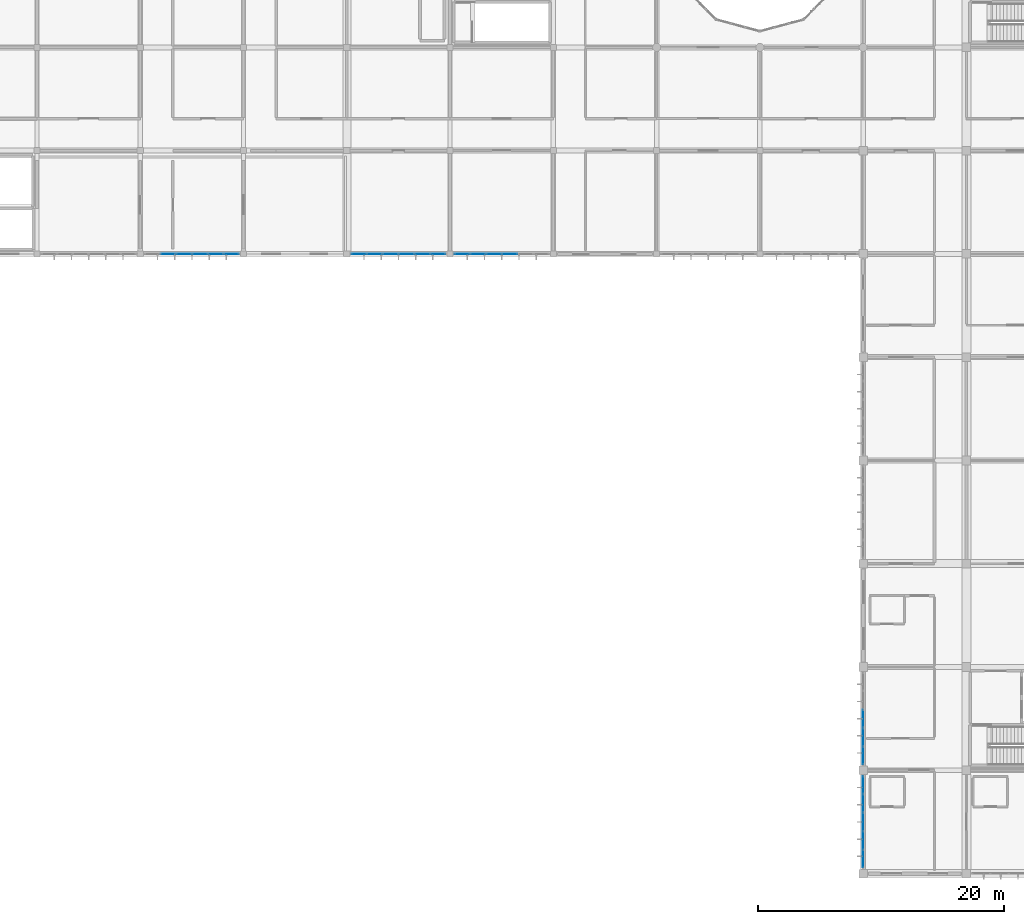
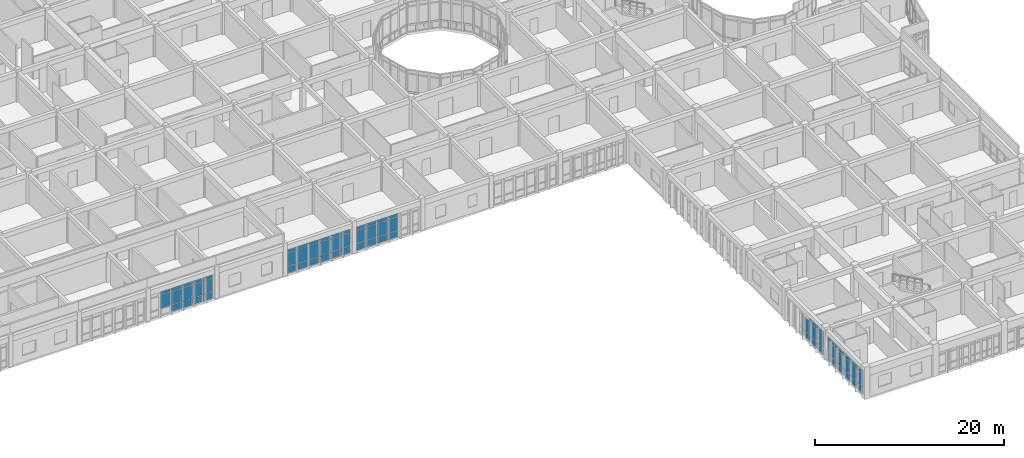
# One storey, part 56 of 119: 67 plates, 5 elements without a shape of their own.
"""IFC4 building model written with IfcOpenShell, lengths in metres."""

from ifc_helpers import new_model, si_unit, direction, frame, origin, origin_2d, place, context, subcontext, project, spatial, rectangle, extrude, material, layer, layer_set, type_object, element, aggregate, save


model = new_model("IFC4")

# Units and contexts
model_context = context("Model", 3, precision=1e-05, world=origin(), true_north=direction((0.0, 1.0)))
body_context = subcontext(model_context, "Body", "Model", "MODEL_VIEW")
ifc_project = project(units=[si_unit("LENGTHUNIT", "METRE"), si_unit("AREAUNIT", "SQUARE_METRE"), si_unit("VOLUMEUNIT", "CUBIC_METRE"), si_unit("PLANEANGLEUNIT", "RADIAN"), si_unit("MASSUNIT", "GRAM", prefix="KILO")], contexts=[model_context])

# Site, building, storey
site_placement = place(None, origin())
site = spatial("IfcSite", under=ifc_project, at=site_placement, CompositionType="ELEMENT")
building_placement = place(site_placement, origin())
building = spatial("IfcBuilding", under=site, at=building_placement, Name="Bramfleet General Hospital", CompositionType="ELEMENT")
storey_placement = place(building_placement, frame((0.0, 0.0, 14.39990234375)))
storey = spatial("IfcBuildingStorey", under=building, at=storey_placement, Name="L03", CompositionType="ELEMENT", Elevation=14.39990234375)

# Curtain wall, plates
ifc_material_1 = material(Name="Anodised aluminium and low-E triple glazing", Category="aluminium")
ifc_layer_1 = layer(ifc_material_1, 0.179931640625, Name="CWT-CW-01")
ifc_layer_set_1 = layer_set([ifc_layer_1], Name="Anodised aluminium and low-E triple glazing")
curtain_wall_type_1 = type_object("IfcCurtainWallType", Name="CWT-CW-01", PredefinedType="USERDEFINED", material=ifc_layer_set_1)
curtain_wall_1_placement = place(storey_placement, origin())
curtain_wall_1 = element("IfcCurtainWall", 1, at=curtain_wall_1_placement, inside=storey, type_object=curtain_wall_type_1, Name="L03 Curtain Wall 181", ObjectType="Unitised curtain wall", PredefinedType="USERDEFINED")
ifc_material_2 = material(Name="Low-E laminated safety glass", Category="glass")
ifc_layer_2 = layer(ifc_material_2, 0.028076171875, Name="CWP-GLZ-1")
ifc_layer_set_2 = layer_set([ifc_layer_2], Name="Low-E laminated safety glass")
plate_type_1 = type_object("IfcPlateType", Name="CWP-GLZ-1", PredefinedType="CURTAIN_PANEL", material=ifc_layer_set_2)
plate_1_placement = place(storey_placement, frame((63.645751953125, 50.39990234375, 0.06494140625), z_axis=(0.0, 0.0, 1.0), x_axis=(-1.0, 0.0, 0.0)))
plate_1 = element("IfcPlate", 2, at=plate_1_placement, type_object=plate_type_1, Name="CW-01 panel 3.1", PredefinedType="CURTAIN_PANEL", context=body_context, shape_type="SweptSolid", body=[
    extrude(rectangle(XDim=1.2216796875, YDim=0.028076171875, at=origin_2d()), origin(), (0.0, 0.0, 1.0), 0.802490234375),
])
plate_2_placement = place(storey_placement, frame((63.645751953125, 50.39990234375, 0.9326171875), z_axis=(0.0, 0.0, 1.0), x_axis=(-1.0, 0.0, 0.0)))
plate_2 = element("IfcPlate", 3, at=plate_2_placement, type_object=plate_type_1, Name="CW-01 panel 3.2", PredefinedType="CURTAIN_PANEL", context=body_context, shape_type="SweptSolid", body=[
    extrude(rectangle(XDim=1.2216796875, YDim=0.028076171875, at=origin_2d()), origin(), (0.0, 0.0, 1.0), 1.675048828125),
])
plate_3_placement = place(storey_placement, frame((63.645751953125, 50.39990234375, 2.6728515625), z_axis=(0.0, 0.0, 1.0), x_axis=(-1.0, 0.0, 0.0)))
plate_3 = element("IfcPlate", 4, at=plate_3_placement, type_object=plate_type_1, Name="CW-01 panel 3.3", PredefinedType="CURTAIN_PANEL", context=body_context, shape_type="SweptSolid", body=[
    extrude(rectangle(XDim=1.2216796875, YDim=0.028076171875, at=origin_2d()), origin(), (0.0, 0.0, 1.0), 0.452392578125),
])
plate_4_placement = place(storey_placement, frame((62.354248046875, 50.39990234375, 0.06494140625), z_axis=(0.0, 0.0, 1.0), x_axis=(-1.0, 0.0, 0.0)))
plate_4 = element("IfcPlate", 5, at=plate_4_placement, type_object=plate_type_1, Name="CW-01 panel 4.1", PredefinedType="CURTAIN_PANEL", context=body_context, shape_type="SweptSolid", body=[
    extrude(rectangle(XDim=1.2216796875, YDim=0.028076171875, at=origin_2d()), origin(), (0.0, 0.0, 1.0), 0.802490234375),
])
plate_5_placement = place(storey_placement, frame((62.354248046875, 50.39990234375, 0.9326171875), z_axis=(0.0, 0.0, 1.0), x_axis=(-1.0, 0.0, 0.0)))
plate_5 = element("IfcPlate", 6, at=plate_5_placement, type_object=plate_type_1, Name="CW-01 panel 4.2", PredefinedType="CURTAIN_PANEL", context=body_context, shape_type="SweptSolid", body=[
    extrude(rectangle(XDim=1.2216796875, YDim=0.028076171875, at=origin_2d()), origin(), (0.0, 0.0, 1.0), 1.675048828125),
])
plate_6_placement = place(storey_placement, frame((62.354248046875, 50.39990234375, 2.6728515625), z_axis=(0.0, 0.0, 1.0), x_axis=(-1.0, 0.0, 0.0)))
plate_6 = element("IfcPlate", 7, at=plate_6_placement, type_object=plate_type_1, Name="CW-01 panel 4.3", PredefinedType="CURTAIN_PANEL", context=body_context, shape_type="SweptSolid", body=[
    extrude(rectangle(XDim=1.2216796875, YDim=0.028076171875, at=origin_2d()), origin(), (0.0, 0.0, 1.0), 0.452392578125),
])
plate_7_placement = place(storey_placement, frame((61.0625, 50.39990234375, 0.06494140625), z_axis=(0.0, 0.0, 1.0), x_axis=(-1.0, 0.0, 0.0)))
plate_7 = element("IfcPlate", 8, at=plate_7_placement, type_object=plate_type_1, Name="CW-01 panel 5.1", PredefinedType="CURTAIN_PANEL", context=body_context, shape_type="SweptSolid", body=[
    extrude(rectangle(XDim=1.2216796875, YDim=0.028076171875, at=origin_2d()), origin(), (0.0, 0.0, 1.0), 0.802490234375),
])
plate_8_placement = place(storey_placement, frame((61.0625, 50.39990234375, 0.9326171875), z_axis=(0.0, 0.0, 1.0), x_axis=(-1.0, 0.0, 0.0)))
plate_8 = element("IfcPlate", 9, at=plate_8_placement, type_object=plate_type_1, Name="CW-01 panel 5.2", PredefinedType="CURTAIN_PANEL", context=body_context, shape_type="SweptSolid", body=[
    extrude(rectangle(XDim=1.2216796875, YDim=0.028076171875, at=origin_2d()), origin(), (0.0, 0.0, 1.0), 1.675048828125),
])
plate_9_placement = place(storey_placement, frame((61.0625, 50.39990234375, 2.6728515625), z_axis=(0.0, 0.0, 1.0), x_axis=(-1.0, 0.0, 0.0)))
plate_9 = element("IfcPlate", 10, at=plate_9_placement, type_object=plate_type_1, Name="CW-01 panel 5.3", PredefinedType="CURTAIN_PANEL", context=body_context, shape_type="SweptSolid", body=[
    extrude(rectangle(XDim=1.2216796875, YDim=0.028076171875, at=origin_2d()), origin(), (0.0, 0.0, 1.0), 0.452392578125),
])
plate_10_placement = place(storey_placement, frame((59.788330078125, 50.39990234375, 0.06494140625), z_axis=(0.0, 0.0, 1.0), x_axis=(-1.0, 0.0, 0.0)))
plate_10 = element("IfcPlate", 11, at=plate_10_placement, type_object=plate_type_1, Name="CW-01 panel 6.1", PredefinedType="CURTAIN_PANEL", context=body_context, shape_type="SweptSolid", body=[
    extrude(rectangle(XDim=1.186767578125, YDim=0.028076171875, at=origin_2d()), origin(), (0.0, 0.0, 1.0), 0.802490234375),
])
plate_11_placement = place(storey_placement, frame((59.788330078125, 50.39990234375, 0.9326171875), z_axis=(0.0, 0.0, 1.0), x_axis=(-1.0, 0.0, 0.0)))
plate_11 = element("IfcPlate", 12, at=plate_11_placement, type_object=plate_type_1, Name="CW-01 panel 6.2", PredefinedType="CURTAIN_PANEL", context=body_context, shape_type="SweptSolid", body=[
    extrude(rectangle(XDim=1.186767578125, YDim=0.028076171875, at=origin_2d()), origin(), (0.0, 0.0, 1.0), 1.675048828125),
])
plate_12_placement = place(storey_placement, frame((59.788330078125, 50.39990234375, 2.6728515625), z_axis=(0.0, 0.0, 1.0), x_axis=(-1.0, 0.0, 0.0)))
plate_12 = element("IfcPlate", 13, at=plate_12_placement, type_object=plate_type_1, Name="CW-01 panel 6.3", PredefinedType="CURTAIN_PANEL", context=body_context, shape_type="SweptSolid", body=[
    extrude(rectangle(XDim=1.186767578125, YDim=0.028076171875, at=origin_2d()), origin(), (0.0, 0.0, 1.0), 0.452392578125),
])
aggregate(curtain_wall_1, [plate_1, plate_2, plate_3, plate_4, plate_5, plate_6, plate_7, plate_8, plate_9, plate_10, plate_11, plate_12])

ifc_layer_3 = layer(ifc_material_1, 0.179931640625, Name="CWT-CW-02")
ifc_layer_set_3 = layer_set([ifc_layer_3], Name="Anodised aluminium and low-E triple glazing")
curtain_wall_type_2 = type_object("IfcCurtainWallType", Name="CWT-CW-02", PredefinedType="USERDEFINED", material=ifc_layer_set_3)
curtain_wall_2_placement = place(storey_placement, origin())
curtain_wall_2 = element("IfcCurtainWall", 14, at=curtain_wall_2_placement, inside=storey, type_object=curtain_wall_type_2, Name="L03 Curtain Wall 182", ObjectType="Unitised curtain wall", PredefinedType="USERDEFINED")
ifc_layer_4 = layer(ifc_material_2, 0.031982421875, Name="CWP-GLZ-2")
ifc_layer_set_4 = layer_set([ifc_layer_4], Name="Low-E laminated safety glass")
plate_type_2 = type_object("IfcPlateType", Name="CWP-GLZ-2", PredefinedType="CURTAIN_PANEL", material=ifc_layer_set_4)
plate_13_placement = place(storey_placement, frame((57.811767578125, 50.39990234375, 0.06494140625), z_axis=(0.0, 0.0, 1.0), x_axis=(-1.0, 0.0, 0.0)))
plate_13 = element("IfcPlate", 15, at=plate_13_placement, type_object=plate_type_2, Name="CW-02 panel 1.1", PredefinedType="CURTAIN_PANEL", context=body_context, shape_type="SweptSolid", body=[
    extrude(rectangle(XDim=1.186767578125, YDim=0.031982421875, at=origin_2d()), origin(), (0.0, 0.0, 1.0), 0.802490234375),
])
plate_14_placement = place(storey_placement, frame((57.811767578125, 50.39990234375, 0.9326171875), z_axis=(0.0, 0.0, 1.0), x_axis=(-1.0, 0.0, 0.0)))
plate_14 = element("IfcPlate", 16, at=plate_14_placement, type_object=plate_type_2, Name="CW-02 panel 1.2", PredefinedType="CURTAIN_PANEL", context=body_context, shape_type="SweptSolid", body=[
    extrude(rectangle(XDim=1.186767578125, YDim=0.031982421875, at=origin_2d()), origin(), (0.0, 0.0, 1.0), 1.675048828125),
])
plate_15_placement = place(storey_placement, frame((57.811767578125, 50.39990234375, 2.6728515625), z_axis=(0.0, 0.0, 1.0), x_axis=(-1.0, 0.0, 0.0)))
plate_15 = element("IfcPlate", 17, at=plate_15_placement, type_object=plate_type_2, Name="CW-02 panel 1.3", PredefinedType="CURTAIN_PANEL", context=body_context, shape_type="SweptSolid", body=[
    extrude(rectangle(XDim=1.186767578125, YDim=0.031982421875, at=origin_2d()), origin(), (0.0, 0.0, 1.0), 0.452392578125),
])
plate_16_placement = place(storey_placement, frame((56.53759765625, 50.39990234375, 0.06494140625), z_axis=(0.0, 0.0, 1.0), x_axis=(-1.0, 0.0, 0.0)))
plate_16 = element("IfcPlate", 18, at=plate_16_placement, type_object=plate_type_2, Name="CW-02 panel 2.1", PredefinedType="CURTAIN_PANEL", context=body_context, shape_type="SweptSolid", body=[
    extrude(rectangle(XDim=1.2216796875, YDim=0.031982421875, at=origin_2d()), origin(), (0.0, 0.0, 1.0), 0.802490234375),
])
plate_17_placement = place(storey_placement, frame((56.53759765625, 50.39990234375, 0.9326171875), z_axis=(0.0, 0.0, 1.0), x_axis=(-1.0, 0.0, 0.0)))
plate_17 = element("IfcPlate", 19, at=plate_17_placement, type_object=plate_type_2, Name="CW-02 panel 2.2", PredefinedType="CURTAIN_PANEL", context=body_context, shape_type="SweptSolid", body=[
    extrude(rectangle(XDim=1.2216796875, YDim=0.031982421875, at=origin_2d()), origin(), (0.0, 0.0, 1.0), 1.675048828125),
])
plate_18_placement = place(storey_placement, frame((56.53759765625, 50.39990234375, 2.6728515625), z_axis=(0.0, 0.0, 1.0), x_axis=(-1.0, 0.0, 0.0)))
plate_18 = element("IfcPlate", 20, at=plate_18_placement, type_object=plate_type_2, Name="CW-02 panel 2.3", PredefinedType="CURTAIN_PANEL", context=body_context, shape_type="SweptSolid", body=[
    extrude(rectangle(XDim=1.2216796875, YDim=0.031982421875, at=origin_2d()), origin(), (0.0, 0.0, 1.0), 0.452392578125),
])
plate_19_placement = place(storey_placement, frame((55.245849609375, 50.39990234375, 0.06494140625), z_axis=(0.0, 0.0, 1.0), x_axis=(-1.0, 0.0, 0.0)))
plate_19 = element("IfcPlate", 21, at=plate_19_placement, type_object=plate_type_2, Name="CW-02 panel 3.1", PredefinedType="CURTAIN_PANEL", context=body_context, shape_type="SweptSolid", body=[
    extrude(rectangle(XDim=1.2216796875, YDim=0.031982421875, at=origin_2d()), origin(), (0.0, 0.0, 1.0), 0.802490234375),
])
plate_20_placement = place(storey_placement, frame((55.245849609375, 50.39990234375, 0.9326171875), z_axis=(0.0, 0.0, 1.0), x_axis=(-1.0, 0.0, 0.0)))
plate_20 = element("IfcPlate", 22, at=plate_20_placement, type_object=plate_type_2, Name="CW-02 panel 3.2", PredefinedType="CURTAIN_PANEL", context=body_context, shape_type="SweptSolid", body=[
    extrude(rectangle(XDim=1.2216796875, YDim=0.031982421875, at=origin_2d()), origin(), (0.0, 0.0, 1.0), 1.675048828125),
])
plate_21_placement = place(storey_placement, frame((55.245849609375, 50.39990234375, 2.6728515625), z_axis=(0.0, 0.0, 1.0), x_axis=(-1.0, 0.0, 0.0)))
plate_21 = element("IfcPlate", 23, at=plate_21_placement, type_object=plate_type_2, Name="CW-02 panel 3.3", PredefinedType="CURTAIN_PANEL", context=body_context, shape_type="SweptSolid", body=[
    extrude(rectangle(XDim=1.2216796875, YDim=0.031982421875, at=origin_2d()), origin(), (0.0, 0.0, 1.0), 0.452392578125),
])
plate_22_placement = place(storey_placement, frame((53.9541015625, 50.39990234375, 0.06494140625), z_axis=(0.0, 0.0, 1.0), x_axis=(-1.0, 0.0, 0.0)))
plate_22 = element("IfcPlate", 24, at=plate_22_placement, type_object=plate_type_2, Name="CW-02 panel 4.1", PredefinedType="CURTAIN_PANEL", context=body_context, shape_type="SweptSolid", body=[
    extrude(rectangle(XDim=1.2216796875, YDim=0.031982421875, at=origin_2d()), origin(), (0.0, 0.0, 1.0), 0.802490234375),
])
plate_23_placement = place(storey_placement, frame((53.9541015625, 50.39990234375, 0.9326171875), z_axis=(0.0, 0.0, 1.0), x_axis=(-1.0, 0.0, 0.0)))
plate_23 = element("IfcPlate", 25, at=plate_23_placement, type_object=plate_type_2, Name="CW-02 panel 4.2", PredefinedType="CURTAIN_PANEL", context=body_context, shape_type="SweptSolid", body=[
    extrude(rectangle(XDim=1.2216796875, YDim=0.031982421875, at=origin_2d()), origin(), (0.0, 0.0, 1.0), 1.675048828125),
])
plate_24_placement = place(storey_placement, frame((53.9541015625, 50.39990234375, 2.6728515625), z_axis=(0.0, 0.0, 1.0), x_axis=(-1.0, 0.0, 0.0)))
plate_24 = element("IfcPlate", 26, at=plate_24_placement, type_object=plate_type_2, Name="CW-02 panel 4.3", PredefinedType="CURTAIN_PANEL", context=body_context, shape_type="SweptSolid", body=[
    extrude(rectangle(XDim=1.2216796875, YDim=0.031982421875, at=origin_2d()), origin(), (0.0, 0.0, 1.0), 0.452392578125),
])
plate_25_placement = place(storey_placement, frame((52.66259765625, 50.39990234375, 0.06494140625), z_axis=(0.0, 0.0, 1.0), x_axis=(-1.0, 0.0, 0.0)))
plate_25 = element("IfcPlate", 27, at=plate_25_placement, type_object=plate_type_2, Name="CW-02 panel 5.1", PredefinedType="CURTAIN_PANEL", context=body_context, shape_type="SweptSolid", body=[
    extrude(rectangle(XDim=1.2216796875, YDim=0.031982421875, at=origin_2d()), origin(), (0.0, 0.0, 1.0), 0.802490234375),
])
plate_26_placement = place(storey_placement, frame((52.66259765625, 50.39990234375, 0.9326171875), z_axis=(0.0, 0.0, 1.0), x_axis=(-1.0, 0.0, 0.0)))
plate_26 = element("IfcPlate", 28, at=plate_26_placement, type_object=plate_type_2, Name="CW-02 panel 5.2", PredefinedType="CURTAIN_PANEL", context=body_context, shape_type="SweptSolid", body=[
    extrude(rectangle(XDim=1.2216796875, YDim=0.031982421875, at=origin_2d()), origin(), (0.0, 0.0, 1.0), 1.675048828125),
])
plate_27_placement = place(storey_placement, frame((52.66259765625, 50.39990234375, 2.6728515625), z_axis=(0.0, 0.0, 1.0), x_axis=(-1.0, 0.0, 0.0)))
plate_27 = element("IfcPlate", 29, at=plate_27_placement, type_object=plate_type_2, Name="CW-02 panel 5.3", PredefinedType="CURTAIN_PANEL", context=body_context, shape_type="SweptSolid", body=[
    extrude(rectangle(XDim=1.2216796875, YDim=0.031982421875, at=origin_2d()), origin(), (0.0, 0.0, 1.0), 0.452392578125),
])
plate_28_placement = place(storey_placement, frame((51.388427734375, 50.39990234375, 0.06494140625), z_axis=(0.0, 0.0, 1.0), x_axis=(-1.0, 0.0, 0.0)))
plate_28 = element("IfcPlate", 30, at=plate_28_placement, type_object=plate_type_2, Name="CW-02 panel 6.1", PredefinedType="CURTAIN_PANEL", context=body_context, shape_type="SweptSolid", body=[
    extrude(rectangle(XDim=1.186767578125, YDim=0.031982421875, at=origin_2d()), origin(), (0.0, 0.0, 1.0), 0.802490234375),
])
plate_29_placement = place(storey_placement, frame((51.388427734375, 50.39990234375, 0.9326171875), z_axis=(0.0, 0.0, 1.0), x_axis=(-1.0, 0.0, 0.0)))
plate_29 = element("IfcPlate", 31, at=plate_29_placement, type_object=plate_type_2, Name="CW-02 panel 6.2", PredefinedType="CURTAIN_PANEL", context=body_context, shape_type="SweptSolid", body=[
    extrude(rectangle(XDim=1.186767578125, YDim=0.031982421875, at=origin_2d()), origin(), (0.0, 0.0, 1.0), 1.675048828125),
])
plate_30_placement = place(storey_placement, frame((51.388427734375, 50.39990234375, 2.6728515625), z_axis=(0.0, 0.0, 1.0), x_axis=(-1.0, 0.0, 0.0)))
plate_30 = element("IfcPlate", 32, at=plate_30_placement, type_object=plate_type_2, Name="CW-02 panel 6.3", PredefinedType="CURTAIN_PANEL", context=body_context, shape_type="SweptSolid", body=[
    extrude(rectangle(XDim=1.186767578125, YDim=0.031982421875, at=origin_2d()), origin(), (0.0, 0.0, 1.0), 0.452392578125),
])
aggregate(curtain_wall_2, [plate_13, plate_14, plate_15, plate_16, plate_17, plate_18, plate_19, plate_20, plate_21, plate_22, plate_23, plate_24, plate_25, plate_26, plate_27, plate_28, plate_29, plate_30])

ifc_layer_5 = layer(ifc_material_1, 0.179931640625, Name="CWT-CW-13")
ifc_layer_set_5 = layer_set([ifc_layer_5], Name="Anodised aluminium and low-E triple glazing")
curtain_wall_type_3 = type_object("IfcCurtainWallType", Name="CWT-CW-13", PredefinedType="USERDEFINED", material=ifc_layer_set_5)
curtain_wall_3_placement = place(storey_placement, origin())
curtain_wall_3 = element("IfcCurtainWall", 33, at=curtain_wall_3_placement, inside=storey, type_object=curtain_wall_type_3, Name="L03 Curtain Wall 175", ObjectType="Stick curtain wall", PredefinedType="USERDEFINED")
ifc_layer_6 = layer(ifc_material_2, 0.035888671875, Name="CWP-GLZ-3")
ifc_layer_set_6 = layer_set([ifc_layer_6], Name="Low-E laminated safety glass")
plate_type_3 = type_object("IfcPlateType", Name="CWP-GLZ-3", PredefinedType="CURTAIN_PANEL", material=ifc_layer_set_6)
plate_31_placement = place(storey_placement, frame((92.39990234375, 1.197509765625, 0.06494140625), z_axis=(0.0, 0.0, 1.0), x_axis=(0.0, 1.0, 0.0)))
plate_31 = element("IfcPlate", 34, at=plate_31_placement, type_object=plate_type_3, Name="CW-13 panel 1.1", PredefinedType="CURTAIN_PANEL", context=body_context, shape_type="SweptSolid", body=[
    extrude(rectangle(XDim=1.405029296875, YDim=0.035888671875, at=origin_2d()), origin(), (0.0, 0.0, 1.0), 0.802490234375),
])
plate_32_placement = place(storey_placement, frame((92.39990234375, 1.197509765625, 0.9326171875), z_axis=(0.0, 0.0, 1.0), x_axis=(0.0, 1.0, 0.0)))
plate_32 = element("IfcPlate", 35, at=plate_32_placement, type_object=plate_type_3, Name="CW-13 panel 1.2", PredefinedType="CURTAIN_PANEL", context=body_context, shape_type="SweptSolid", body=[
    extrude(rectangle(XDim=1.405029296875, YDim=0.035888671875, at=origin_2d()), origin(), (0.0, 0.0, 1.0), 1.675048828125),
])
plate_33_placement = place(storey_placement, frame((92.39990234375, 1.197509765625, 2.6728515625), z_axis=(0.0, 0.0, 1.0), x_axis=(0.0, 1.0, 0.0)))
plate_33 = element("IfcPlate", 36, at=plate_33_placement, type_object=plate_type_3, Name="CW-13 panel 1.3", PredefinedType="CURTAIN_PANEL", context=body_context, shape_type="SweptSolid", body=[
    extrude(rectangle(XDim=1.405029296875, YDim=0.035888671875, at=origin_2d()), origin(), (0.0, 0.0, 1.0), 0.452392578125),
])
plate_34_placement = place(storey_placement, frame((92.39990234375, 2.68994140625, 0.06494140625), z_axis=(0.0, 0.0, 1.0), x_axis=(0.0, 1.0, 0.0)))
plate_34 = element("IfcPlate", 37, at=plate_34_placement, type_object=plate_type_3, Name="CW-13 panel 2.1", PredefinedType="CURTAIN_PANEL", context=body_context, shape_type="SweptSolid", body=[
    extrude(rectangle(XDim=1.43994140625, YDim=0.035888671875, at=origin_2d()), origin(), (0.0, 0.0, 1.0), 0.802490234375),
])
plate_35_placement = place(storey_placement, frame((92.39990234375, 2.68994140625, 0.9326171875), z_axis=(0.0, 0.0, 1.0), x_axis=(0.0, 1.0, 0.0)))
plate_35 = element("IfcPlate", 38, at=plate_35_placement, type_object=plate_type_3, Name="CW-13 panel 2.2", PredefinedType="CURTAIN_PANEL", context=body_context, shape_type="SweptSolid", body=[
    extrude(rectangle(XDim=1.43994140625, YDim=0.035888671875, at=origin_2d()), origin(), (0.0, 0.0, 1.0), 1.675048828125),
])
plate_36_placement = place(storey_placement, frame((92.39990234375, 2.68994140625, 2.6728515625), z_axis=(0.0, 0.0, 1.0), x_axis=(0.0, 1.0, 0.0)))
plate_36 = element("IfcPlate", 39, at=plate_36_placement, type_object=plate_type_3, Name="CW-13 panel 2.3", PredefinedType="CURTAIN_PANEL", context=body_context, shape_type="SweptSolid", body=[
    extrude(rectangle(XDim=1.43994140625, YDim=0.035888671875, at=origin_2d()), origin(), (0.0, 0.0, 1.0), 0.452392578125),
])
plate_37_placement = place(storey_placement, frame((92.39990234375, 4.199951171875, 0.06494140625), z_axis=(0.0, 0.0, 1.0), x_axis=(0.0, 1.0, 0.0)))
plate_37 = element("IfcPlate", 40, at=plate_37_placement, type_object=plate_type_3, Name="CW-13 panel 3.1", PredefinedType="CURTAIN_PANEL", context=body_context, shape_type="SweptSolid", body=[
    extrude(rectangle(XDim=1.43994140625, YDim=0.035888671875, at=origin_2d()), origin(), (0.0, 0.0, 1.0), 0.802490234375),
])
plate_38_placement = place(storey_placement, frame((92.39990234375, 4.199951171875, 0.9326171875), z_axis=(0.0, 0.0, 1.0), x_axis=(0.0, 1.0, 0.0)))
plate_38 = element("IfcPlate", 41, at=plate_38_placement, type_object=plate_type_3, Name="CW-13 panel 3.2", PredefinedType="CURTAIN_PANEL", context=body_context, shape_type="SweptSolid", body=[
    extrude(rectangle(XDim=1.43994140625, YDim=0.035888671875, at=origin_2d()), origin(), (0.0, 0.0, 1.0), 1.675048828125),
])
plate_39_placement = place(storey_placement, frame((92.39990234375, 4.199951171875, 2.6728515625), z_axis=(0.0, 0.0, 1.0), x_axis=(0.0, 1.0, 0.0)))
plate_39 = element("IfcPlate", 42, at=plate_39_placement, type_object=plate_type_3, Name="CW-13 panel 3.3", PredefinedType="CURTAIN_PANEL", context=body_context, shape_type="SweptSolid", body=[
    extrude(rectangle(XDim=1.43994140625, YDim=0.035888671875, at=origin_2d()), origin(), (0.0, 0.0, 1.0), 0.452392578125),
])
plate_40_placement = place(storey_placement, frame((92.39990234375, 5.7099609375, 0.06494140625), z_axis=(0.0, 0.0, 1.0), x_axis=(0.0, 1.0, 0.0)))
plate_40 = element("IfcPlate", 43, at=plate_40_placement, type_object=plate_type_3, Name="CW-13 panel 4.1", PredefinedType="CURTAIN_PANEL", context=body_context, shape_type="SweptSolid", body=[
    extrude(rectangle(XDim=1.43994140625, YDim=0.035888671875, at=origin_2d()), origin(), (0.0, 0.0, 1.0), 0.802490234375),
])
plate_41_placement = place(storey_placement, frame((92.39990234375, 5.7099609375, 0.9326171875), z_axis=(0.0, 0.0, 1.0), x_axis=(0.0, 1.0, 0.0)))
plate_41 = element("IfcPlate", 44, at=plate_41_placement, type_object=plate_type_3, Name="CW-13 panel 4.2", PredefinedType="CURTAIN_PANEL", context=body_context, shape_type="SweptSolid", body=[
    extrude(rectangle(XDim=1.43994140625, YDim=0.035888671875, at=origin_2d()), origin(), (0.0, 0.0, 1.0), 1.675048828125),
])
plate_42_placement = place(storey_placement, frame((92.39990234375, 5.7099609375, 2.6728515625), z_axis=(0.0, 0.0, 1.0), x_axis=(0.0, 1.0, 0.0)))
plate_42 = element("IfcPlate", 45, at=plate_42_placement, type_object=plate_type_3, Name="CW-13 panel 4.3", PredefinedType="CURTAIN_PANEL", context=body_context, shape_type="SweptSolid", body=[
    extrude(rectangle(XDim=1.43994140625, YDim=0.035888671875, at=origin_2d()), origin(), (0.0, 0.0, 1.0), 0.452392578125),
])
plate_43_placement = place(storey_placement, frame((92.39990234375, 7.202392578125, 0.06494140625), z_axis=(0.0, 0.0, 1.0), x_axis=(0.0, 1.0, 0.0)))
plate_43 = element("IfcPlate", 46, at=plate_43_placement, type_object=plate_type_3, Name="CW-13 panel 5.1", PredefinedType="CURTAIN_PANEL", context=body_context, shape_type="SweptSolid", body=[
    extrude(rectangle(XDim=1.405029296875, YDim=0.035888671875, at=origin_2d()), origin(), (0.0, 0.0, 1.0), 0.802490234375),
])
plate_44_placement = place(storey_placement, frame((92.39990234375, 7.202392578125, 0.9326171875), z_axis=(0.0, 0.0, 1.0), x_axis=(0.0, 1.0, 0.0)))
plate_44 = element("IfcPlate", 47, at=plate_44_placement, type_object=plate_type_3, Name="CW-13 panel 5.2", PredefinedType="CURTAIN_PANEL", context=body_context, shape_type="SweptSolid", body=[
    extrude(rectangle(XDim=1.405029296875, YDim=0.035888671875, at=origin_2d()), origin(), (0.0, 0.0, 1.0), 1.675048828125),
])
plate_45_placement = place(storey_placement, frame((92.39990234375, 7.202392578125, 2.6728515625), z_axis=(0.0, 0.0, 1.0), x_axis=(0.0, 1.0, 0.0)))
plate_45 = element("IfcPlate", 48, at=plate_45_placement, type_object=plate_type_3, Name="CW-13 panel 5.3", PredefinedType="CURTAIN_PANEL", context=body_context, shape_type="SweptSolid", body=[
    extrude(rectangle(XDim=1.405029296875, YDim=0.035888671875, at=origin_2d()), origin(), (0.0, 0.0, 1.0), 0.452392578125),
])
aggregate(curtain_wall_3, [plate_31, plate_32, plate_33, plate_34, plate_35, plate_36, plate_37, plate_38, plate_39, plate_40, plate_41, plate_42, plate_43, plate_44, plate_45])

ifc_layer_7 = layer(ifc_material_1, 0.179931640625, Name="CWT-CW-03")
ifc_layer_set_7 = layer_set([ifc_layer_7], Name="Anodised aluminium and low-E triple glazing")
curtain_wall_type_4 = type_object("IfcCurtainWallType", Name="CWT-CW-03", PredefinedType="USERDEFINED", material=ifc_layer_set_7)
curtain_wall_4_placement = place(storey_placement, origin())
curtain_wall_4 = element("IfcCurtainWall", 49, at=curtain_wall_4_placement, inside=storey, type_object=curtain_wall_type_4, Name="L03 Curtain Wall 183", ObjectType="Unitised curtain wall", PredefinedType="USERDEFINED")
plate_46_placement = place(storey_placement, frame((41.01171875, 50.39990234375, 0.06494140625), z_axis=(0.0, 0.0, 1.0), x_axis=(-1.0, 0.0, 0.0)))
plate_46 = element("IfcPlate", 50, at=plate_46_placement, type_object=plate_type_3, Name="CW-03 panel 1.1", PredefinedType="CURTAIN_PANEL", context=body_context, shape_type="SweptSolid", body=[
    extrude(rectangle(XDim=1.186767578125, YDim=0.035888671875, at=origin_2d()), origin(), (0.0, 0.0, 1.0), 0.802490234375),
])
plate_47_placement = place(storey_placement, frame((41.01171875, 50.39990234375, 0.9326171875), z_axis=(0.0, 0.0, 1.0), x_axis=(-1.0, 0.0, 0.0)))
plate_47 = element("IfcPlate", 51, at=plate_47_placement, type_object=plate_type_3, Name="CW-03 panel 1.2", PredefinedType="CURTAIN_PANEL", context=body_context, shape_type="SweptSolid", body=[
    extrude(rectangle(XDim=1.186767578125, YDim=0.035888671875, at=origin_2d()), origin(), (0.0, 0.0, 1.0), 1.675048828125),
])
plate_48_placement = place(storey_placement, frame((41.01171875, 50.39990234375, 2.6728515625), z_axis=(0.0, 0.0, 1.0), x_axis=(-1.0, 0.0, 0.0)))
plate_48 = element("IfcPlate", 52, at=plate_48_placement, type_object=plate_type_3, Name="CW-03 panel 1.3", PredefinedType="CURTAIN_PANEL", context=body_context, shape_type="SweptSolid", body=[
    extrude(rectangle(XDim=1.186767578125, YDim=0.035888671875, at=origin_2d()), origin(), (0.0, 0.0, 1.0), 0.452392578125),
])
plate_49_placement = place(storey_placement, frame((39.737548828125, 50.39990234375, 0.06494140625), z_axis=(0.0, 0.0, 1.0), x_axis=(-1.0, 0.0, 0.0)))
plate_49 = element("IfcPlate", 53, at=plate_49_placement, type_object=plate_type_3, Name="CW-03 panel 2.1", PredefinedType="CURTAIN_PANEL", context=body_context, shape_type="SweptSolid", body=[
    extrude(rectangle(XDim=1.2216796875, YDim=0.035888671875, at=origin_2d()), origin(), (0.0, 0.0, 1.0), 0.802490234375),
])
plate_50_placement = place(storey_placement, frame((39.737548828125, 50.39990234375, 0.9326171875), z_axis=(0.0, 0.0, 1.0), x_axis=(-1.0, 0.0, 0.0)))
plate_50 = element("IfcPlate", 54, at=plate_50_placement, type_object=plate_type_3, Name="CW-03 panel 2.2", PredefinedType="CURTAIN_PANEL", context=body_context, shape_type="SweptSolid", body=[
    extrude(rectangle(XDim=1.2216796875, YDim=0.035888671875, at=origin_2d()), origin(), (0.0, 0.0, 1.0), 1.675048828125),
])
plate_51_placement = place(storey_placement, frame((39.737548828125, 50.39990234375, 2.6728515625), z_axis=(0.0, 0.0, 1.0), x_axis=(-1.0, 0.0, 0.0)))
plate_51 = element("IfcPlate", 55, at=plate_51_placement, type_object=plate_type_3, Name="CW-03 panel 2.3", PredefinedType="CURTAIN_PANEL", context=body_context, shape_type="SweptSolid", body=[
    extrude(rectangle(XDim=1.2216796875, YDim=0.035888671875, at=origin_2d()), origin(), (0.0, 0.0, 1.0), 0.452392578125),
])
plate_52_placement = place(storey_placement, frame((38.44580078125, 50.39990234375, 0.06494140625), z_axis=(0.0, 0.0, 1.0), x_axis=(-1.0, 0.0, 0.0)))
plate_52 = element("IfcPlate", 56, at=plate_52_placement, type_object=plate_type_3, Name="CW-03 panel 3.1", PredefinedType="CURTAIN_PANEL", context=body_context, shape_type="SweptSolid", body=[
    extrude(rectangle(XDim=1.2216796875, YDim=0.035888671875, at=origin_2d()), origin(), (0.0, 0.0, 1.0), 0.802490234375),
])
plate_53_placement = place(storey_placement, frame((38.44580078125, 50.39990234375, 0.9326171875), z_axis=(0.0, 0.0, 1.0), x_axis=(-1.0, 0.0, 0.0)))
plate_53 = element("IfcPlate", 57, at=plate_53_placement, type_object=plate_type_3, Name="CW-03 panel 3.2", PredefinedType="CURTAIN_PANEL", context=body_context, shape_type="SweptSolid", body=[
    extrude(rectangle(XDim=1.2216796875, YDim=0.035888671875, at=origin_2d()), origin(), (0.0, 0.0, 1.0), 1.675048828125),
])
plate_54_placement = place(storey_placement, frame((38.44580078125, 50.39990234375, 2.6728515625), z_axis=(0.0, 0.0, 1.0), x_axis=(-1.0, 0.0, 0.0)))
plate_54 = element("IfcPlate", 58, at=plate_54_placement, type_object=plate_type_3, Name="CW-03 panel 3.3", PredefinedType="CURTAIN_PANEL", context=body_context, shape_type="SweptSolid", body=[
    extrude(rectangle(XDim=1.2216796875, YDim=0.035888671875, at=origin_2d()), origin(), (0.0, 0.0, 1.0), 0.452392578125),
])
plate_55_placement = place(storey_placement, frame((37.154052734375, 50.39990234375, 0.06494140625), z_axis=(0.0, 0.0, 1.0), x_axis=(-1.0, 0.0, 0.0)))
plate_55 = element("IfcPlate", 59, at=plate_55_placement, type_object=plate_type_3, Name="CW-03 panel 4.1", PredefinedType="CURTAIN_PANEL", context=body_context, shape_type="SweptSolid", body=[
    extrude(rectangle(XDim=1.2216796875, YDim=0.035888671875, at=origin_2d()), origin(), (0.0, 0.0, 1.0), 0.802490234375),
])
plate_56_placement = place(storey_placement, frame((37.154052734375, 50.39990234375, 0.9326171875), z_axis=(0.0, 0.0, 1.0), x_axis=(-1.0, 0.0, 0.0)))
plate_56 = element("IfcPlate", 60, at=plate_56_placement, type_object=plate_type_3, Name="CW-03 panel 4.2", PredefinedType="CURTAIN_PANEL", context=body_context, shape_type="SweptSolid", body=[
    extrude(rectangle(XDim=1.2216796875, YDim=0.035888671875, at=origin_2d()), origin(), (0.0, 0.0, 1.0), 1.675048828125),
])
plate_57_placement = place(storey_placement, frame((37.154052734375, 50.39990234375, 2.6728515625), z_axis=(0.0, 0.0, 1.0), x_axis=(-1.0, 0.0, 0.0)))
plate_57 = element("IfcPlate", 61, at=plate_57_placement, type_object=plate_type_3, Name="CW-03 panel 4.3", PredefinedType="CURTAIN_PANEL", context=body_context, shape_type="SweptSolid", body=[
    extrude(rectangle(XDim=1.2216796875, YDim=0.035888671875, at=origin_2d()), origin(), (0.0, 0.0, 1.0), 0.452392578125),
])
plate_58_placement = place(storey_placement, frame((35.862548828125, 50.39990234375, 0.9326171875), z_axis=(0.0, 0.0, 1.0), x_axis=(-1.0, 0.0, 0.0)))
plate_58 = element("IfcPlate", 62, at=plate_58_placement, type_object=plate_type_3, Name="CW-03 panel 5.2", PredefinedType="CURTAIN_PANEL", context=body_context, shape_type="SweptSolid", body=[
    extrude(rectangle(XDim=1.2216796875, YDim=0.035888671875, at=origin_2d()), origin(), (0.0, 0.0, 1.0), 1.675048828125),
])
plate_59_placement = place(storey_placement, frame((35.862548828125, 50.39990234375, 2.6728515625), z_axis=(0.0, 0.0, 1.0), x_axis=(-1.0, 0.0, 0.0)))
plate_59 = element("IfcPlate", 63, at=plate_59_placement, type_object=plate_type_3, Name="CW-03 panel 5.3", PredefinedType="CURTAIN_PANEL", context=body_context, shape_type="SweptSolid", body=[
    extrude(rectangle(XDim=1.2216796875, YDim=0.035888671875, at=origin_2d()), origin(), (0.0, 0.0, 1.0), 0.452392578125),
])
aggregate(curtain_wall_4, [plate_46, plate_47, plate_48, plate_49, plate_50, plate_51, plate_52, plate_53, plate_54, plate_55, plate_56, plate_57, plate_58, plate_59])

ifc_layer_8 = layer(ifc_material_1, 0.179931640625, Name="CWT-CW-14")
ifc_layer_set_8 = layer_set([ifc_layer_8], Name="Anodised aluminium and low-E triple glazing")
curtain_wall_type_5 = type_object("IfcCurtainWallType", Name="CWT-CW-14", PredefinedType="USERDEFINED", material=ifc_layer_set_8)
curtain_wall_5_placement = place(storey_placement, origin())
curtain_wall_5 = element("IfcCurtainWall", 64, at=curtain_wall_5_placement, inside=storey, type_object=curtain_wall_type_5, Name="L03 Curtain Wall 176", ObjectType="Stick curtain wall", PredefinedType="USERDEFINED")
ifc_layer_9 = layer(ifc_material_2, 0.0419921875, Name="CWP-GLZ-4")
ifc_layer_set_9 = layer_set([ifc_layer_9], Name="Low-E laminated safety glass")
plate_type_4 = type_object("IfcPlateType", Name="CWP-GLZ-4", PredefinedType="CURTAIN_PANEL", material=ifc_layer_set_9)
plate_60_placement = place(storey_placement, frame((92.39990234375, 9.597412109375, 0.06494140625), z_axis=(0.0, 0.0, 1.0), x_axis=(0.0, 1.0, 0.0)))
plate_60 = element("IfcPlate", 65, at=plate_60_placement, type_object=plate_type_4, Name="CW-14 panel 1.1", PredefinedType="CURTAIN_PANEL", context=body_context, shape_type="SweptSolid", body=[
    extrude(rectangle(XDim=1.405029296875, YDim=0.0419921875, at=origin_2d()), origin(), (0.0, 0.0, 1.0), 0.802490234375),
])
plate_61_placement = place(storey_placement, frame((92.39990234375, 9.597412109375, 0.9326171875), z_axis=(0.0, 0.0, 1.0), x_axis=(0.0, 1.0, 0.0)))
plate_61 = element("IfcPlate", 66, at=plate_61_placement, type_object=plate_type_4, Name="CW-14 panel 1.2", PredefinedType="CURTAIN_PANEL", context=body_context, shape_type="SweptSolid", body=[
    extrude(rectangle(XDim=1.405029296875, YDim=0.0419921875, at=origin_2d()), origin(), (0.0, 0.0, 1.0), 1.675048828125),
])
plate_62_placement = place(storey_placement, frame((92.39990234375, 9.597412109375, 2.6728515625), z_axis=(0.0, 0.0, 1.0), x_axis=(0.0, 1.0, 0.0)))
plate_62 = element("IfcPlate", 67, at=plate_62_placement, type_object=plate_type_4, Name="CW-14 panel 1.3", PredefinedType="CURTAIN_PANEL", context=body_context, shape_type="SweptSolid", body=[
    extrude(rectangle(XDim=1.405029296875, YDim=0.0419921875, at=origin_2d()), origin(), (0.0, 0.0, 1.0), 0.452392578125),
])
plate_63_placement = place(storey_placement, frame((92.39990234375, 11.090087890625, 0.06494140625), z_axis=(0.0, 0.0, 1.0), x_axis=(0.0, 1.0, 0.0)))
plate_63 = element("IfcPlate", 68, at=plate_63_placement, type_object=plate_type_4, Name="CW-14 panel 2.1", PredefinedType="CURTAIN_PANEL", context=body_context, shape_type="SweptSolid", body=[
    extrude(rectangle(XDim=1.43994140625, YDim=0.0419921875, at=origin_2d()), origin(), (0.0, 0.0, 1.0), 0.802490234375),
])
plate_64_placement = place(storey_placement, frame((92.39990234375, 11.090087890625, 0.9326171875), z_axis=(0.0, 0.0, 1.0), x_axis=(0.0, 1.0, 0.0)))
plate_64 = element("IfcPlate", 69, at=plate_64_placement, type_object=plate_type_4, Name="CW-14 panel 2.2", PredefinedType="CURTAIN_PANEL", context=body_context, shape_type="SweptSolid", body=[
    extrude(rectangle(XDim=1.43994140625, YDim=0.0419921875, at=origin_2d()), origin(), (0.0, 0.0, 1.0), 1.675048828125),
])
plate_65_placement = place(storey_placement, frame((92.39990234375, 11.090087890625, 2.6728515625), z_axis=(0.0, 0.0, 1.0), x_axis=(0.0, 1.0, 0.0)))
plate_65 = element("IfcPlate", 70, at=plate_65_placement, type_object=plate_type_4, Name="CW-14 panel 2.3", PredefinedType="CURTAIN_PANEL", context=body_context, shape_type="SweptSolid", body=[
    extrude(rectangle(XDim=1.43994140625, YDim=0.0419921875, at=origin_2d()), origin(), (0.0, 0.0, 1.0), 0.452392578125),
])
plate_66_placement = place(storey_placement, frame((92.39990234375, 12.60009765625, 0.06494140625), z_axis=(0.0, 0.0, 1.0), x_axis=(0.0, 1.0, 0.0)))
plate_66 = element("IfcPlate", 71, at=plate_66_placement, type_object=plate_type_4, Name="CW-14 panel 3.1", PredefinedType="CURTAIN_PANEL", context=body_context, shape_type="SweptSolid", body=[
    extrude(rectangle(XDim=1.43994140625, YDim=0.0419921875, at=origin_2d()), origin(), (0.0, 0.0, 1.0), 0.802490234375),
])
plate_67_placement = place(storey_placement, frame((92.39990234375, 12.60009765625, 0.9326171875), z_axis=(0.0, 0.0, 1.0), x_axis=(0.0, 1.0, 0.0)))
plate_67 = element("IfcPlate", 72, at=plate_67_placement, type_object=plate_type_4, Name="CW-14 panel 3.2", PredefinedType="CURTAIN_PANEL", context=body_context, shape_type="SweptSolid", body=[
    extrude(rectangle(XDim=1.43994140625, YDim=0.0419921875, at=origin_2d()), origin(), (0.0, 0.0, 1.0), 1.675048828125),
])
aggregate(curtain_wall_5, [plate_60, plate_61, plate_62, plate_63, plate_64, plate_65, plate_66, plate_67])

save(model, "model.ifc")
